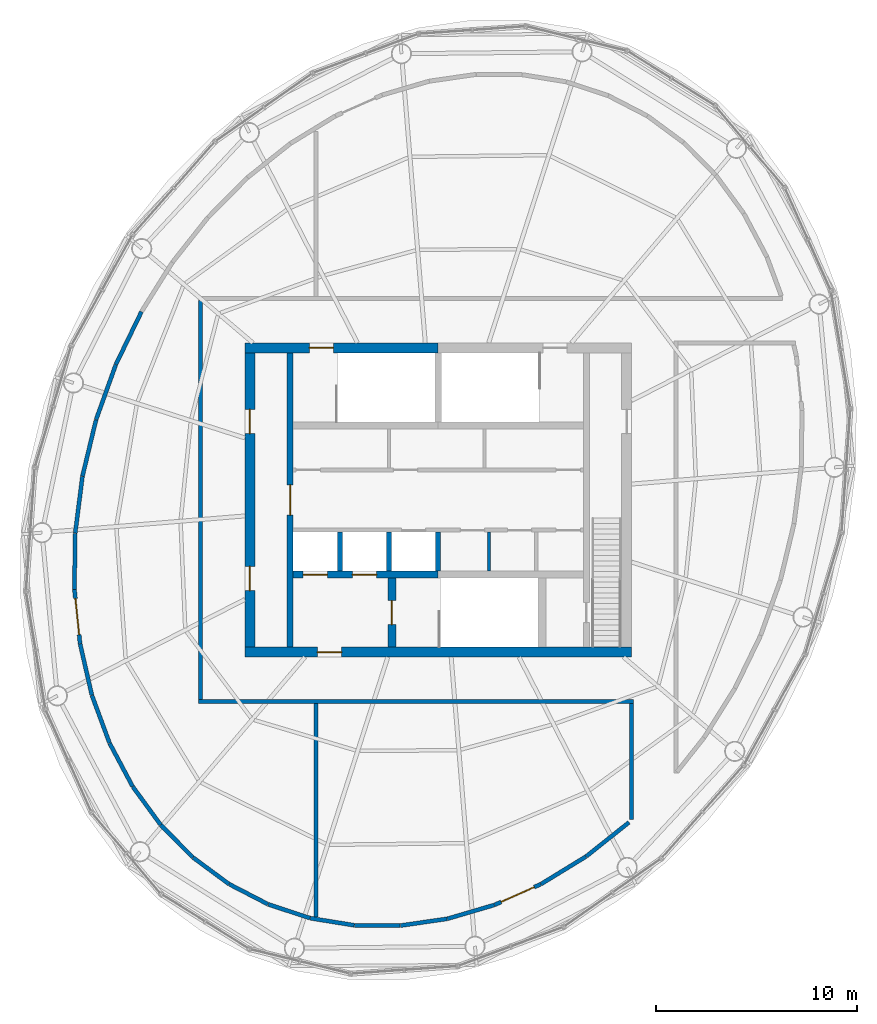
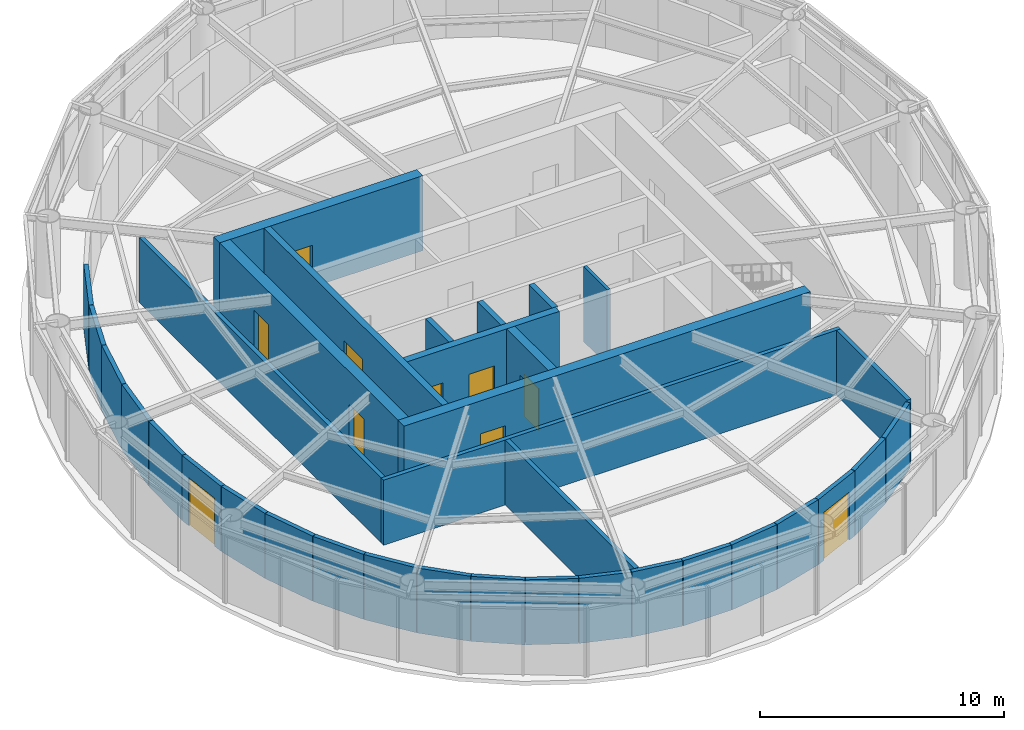
# One storey, part 8 of 11: 35 walls, 10 doors, 10 openings.
"""IFC4 building model written with IfcOpenShell, lengths in metres."""

from ifc_helpers import new_model, si_unit, direction, frame, frame_2d, origin, place, context, subcontext, project, spatial, rectangle, extrude, material, layer, layer_set, type_object, element, fill, save


model = new_model("IFC4")

# Units and contexts
model_context = context("Model", 3, precision=1e-05, world=origin(), true_north=direction((0.0, 1.0)))
body_context = subcontext(model_context, "Body", "Model", "MODEL_VIEW")
ifc_project = project(units=[si_unit("LENGTHUNIT", "METRE"), si_unit("AREAUNIT", "SQUARE_METRE"), si_unit("VOLUMEUNIT", "CUBIC_METRE"), si_unit("PLANEANGLEUNIT", "RADIAN"), si_unit("MASSUNIT", "GRAM", prefix="KILO")], contexts=[model_context])

# Site, building, storey
site_placement = place(None, origin())
site = spatial("IfcSite", under=ifc_project, at=site_placement, CompositionType="ELEMENT")
building_placement = place(site_placement, origin())
building = spatial("IfcBuilding", under=site, at=building_placement, Name="Vermilion Reach Broadcast Tower", CompositionType="ELEMENT")
storey_placement = place(building_placement, frame((0.0, 0.0, 325.5)))
storey = spatial("IfcBuildingStorey", under=building, at=storey_placement, Name="L81 CROWN", CompositionType="ELEMENT", Elevation=325.5)

# Wall, opening, door
ifc_material_1 = material(Name="Concrete C50", Category="concrete")
ifc_layer_1 = layer(ifc_material_1, 0.300048828125)
ifc_layer_set_1 = layer_set([ifc_layer_1], Name="Core inner wall 300 mm Concrete C50")
wall_type_1 = type_object("IfcWallType", Name="Core inner wall 300 mm Concrete C50", PredefinedType="SHEAR", material=ifc_layer_set_1)
wall_1_placement = place(storey_placement, frame((-13.35009765625, 7.300048828125, 0.0), z_axis=(0.0, 0.0, 1.0), x_axis=(0.0, -1.0, 0.0)))
wall_1 = element("IfcWall", 1, at=wall_1_placement, inside=storey, type_object=wall_type_1, Name="L81 CROWN core wall ewW", PredefinedType="SHEAR", context=body_context, shape_type="SweptSolid", body=[
    extrude(rectangle(XDim=14.60009765625, YDim=0.300048828125, at=frame_2d((7.300048828125, 0.0))), origin(), (0.0, 0.0, 1.0), 3.75),
])
opening_1_placement = place(wall_1_placement, frame((6.550048828125, 0.0, 0.0)))
opening_1 = element("IfcOpeningElement", 2, at=opening_1_placement, cuts=wall_1, Name="Opening D04", PredefinedType="OPENING", context=body_context, shape_type="SweptSolid", body=[
    extrude(rectangle(XDim=1.5, YDim=2.10009765625, at=frame_2d((0.75, 1.050048828125))), frame((0.0, 0.159912109375, 0.0), z_axis=(0.0, -1.0, 0.0), x_axis=(1.0, 0.0, 0.0)), (0.0, 0.0, 1.0), 0.320068359375),
])
ifc_material_2 = material(Name="Painted steel fire door", Category="steel")
door_type_1 = type_object("IfcDoorType", Name="Lift lobby door 1500 x 2100", OperationType="DOUBLE_DOOR_SINGLE_SWING", PredefinedType="NOTDEFINED", material=ifc_material_2)
door_1_placement = place(opening_1_placement, origin())
door_1 = element("IfcDoor", 3, at=door_1_placement, inside=storey, type_object=door_type_1, Name="L81 CROWN band door BW", OperationType="DOUBLE_DOOR_SINGLE_SWING", OverallHeight=2.10009765625, OverallWidth=1.5, PredefinedType="NOTDEFINED", context=body_context, shape_type="SweptSolid", body=[
    extrude(rectangle(XDim=1.5, YDim=2.10009765625, at=frame_2d((0.75, 1.050048828125))), frame((0.0, 0.02490234375, 0.0), z_axis=(0.0, -1.0, 0.0), x_axis=(1.0, 0.0, 0.0)), (0.0, 0.0, 1.0), 0.050048828125),
])
fill(opening_1, door_1)

# Wall, openings, doors
ifc_material_3 = material(Name="Concrete C50", Category="concrete")
ifc_layer_2 = layer(ifc_material_3, 0.35009765625)
ifc_layer_set_2 = layer_set([ifc_layer_2], Name="Core inner wall 350 mm Concrete C50")
wall_type_2 = type_object("IfcWallType", Name="Core inner wall 350 mm Concrete C50", PredefinedType="SHEAR", material=ifc_layer_set_2)
wall_2_placement = place(storey_placement, frame((-13.199951171875, -3.705078125, 0.0), z_axis=(0.0, 0.0, 1.0), x_axis=(1.0, 0.0, 0.0)))
wall_2 = element("IfcWall", 4, at=wall_2_placement, inside=storey, type_object=wall_type_2, Name="L81 CROWN core wall wisW", PredefinedType="SHEAR", context=body_context, shape_type="SweptSolid", body=[
    extrude(rectangle(XDim=7.199951171875, YDim=0.35009765625, at=frame_2d((3.60009765625, 0.0))), origin(), (0.0, 0.0, 1.0), 3.75),
])
opening_2_placement = place(wall_2_placement, frame((0.495849609375, 0.0, 0.0)))
opening_2 = element("IfcOpeningElement", 5, at=opening_2_placement, cuts=wall_2, Name="Opening LD1", PredefinedType="OPENING", context=body_context, shape_type="SweptSolid", body=[
    extrude(rectangle(XDim=1.199951171875, YDim=2.10009765625, at=frame_2d((0.60009765625, 1.050048828125))), frame((0.0, 0.18505859375, 0.0), z_axis=(0.0, -1.0, 0.0), x_axis=(1.0, 0.0, 0.0)), (0.0, 0.0, 1.0), 0.3701171875),
])
opening_3_placement = place(wall_2_placement, frame((2.9375, 0.0, 0.0)))
opening_3 = element("IfcOpeningElement", 6, at=opening_3_placement, cuts=wall_2, Name="Opening LD1", PredefinedType="OPENING", context=body_context, shape_type="SweptSolid", body=[
    extrude(rectangle(XDim=1.199951171875, YDim=2.10009765625, at=frame_2d((0.60009765625, 1.050048828125))), frame((0.0, 0.18505859375, 0.0), z_axis=(0.0, -1.0, 0.0), x_axis=(1.0, 0.0, 0.0)), (0.0, 0.0, 1.0), 0.3701171875),
])
ifc_material_4 = material(Name="Stainless steel", Category="steel")
door_type_2 = type_object("IfcDoorType", Name="Landing door 1200 x 2100", OperationType="DOUBLE_DOOR_SLIDING", PredefinedType="NOTDEFINED", material=ifc_material_4)
door_2_placement = place(opening_2_placement, origin())
door_2 = element("IfcDoor", 7, at=door_2_placement, inside=storey, type_object=door_type_2, Name="L81 CROWN landing door FF1", OperationType="DOUBLE_DOOR_SLIDING", OverallHeight=2.10009765625, OverallWidth=1.199951171875, PredefinedType="NOTDEFINED", context=body_context, shape_type="SweptSolid", body=[
    extrude(rectangle(XDim=1.199951171875, YDim=2.10009765625, at=frame_2d((0.60009765625, 1.050048828125))), frame((0.0, 0.02490234375, 0.0), z_axis=(0.0, -1.0, 0.0), x_axis=(1.0, 0.0, 0.0)), (0.0, 0.0, 1.0), 0.050048828125),
])
fill(opening_2, door_2)
door_3_placement = place(opening_3_placement, origin())
door_3 = element("IfcDoor", 8, at=door_3_placement, inside=storey, type_object=door_type_2, Name="L81 CROWN landing door FF2", OperationType="DOUBLE_DOOR_SLIDING", OverallHeight=2.10009765625, OverallWidth=1.199951171875, PredefinedType="NOTDEFINED", context=body_context, shape_type="SweptSolid", body=[
    extrude(rectangle(XDim=1.199951171875, YDim=2.10009765625, at=frame_2d((0.60009765625, 1.050048828125))), frame((0.0, 0.02490234375, 0.0), z_axis=(0.0, -1.0, 0.0), x_axis=(1.0, 0.0, 0.0)), (0.0, 0.0, 1.0), 0.050048828125),
])
fill(opening_3, door_3)

# Wall, opening, door
ifc_material_5 = material(Name="Concrete C50", Category="concrete")
ifc_layer_3 = layer(ifc_material_5, 0.39990234375)
ifc_layer_set_3 = layer_set([ifc_layer_3], Name="Core inner wall 400 mm Concrete C50")
wall_type_3 = type_object("IfcWallType", Name="Core inner wall 400 mm Concrete C50", PredefinedType="SHEAR", material=ifc_layer_set_3)
wall_3_placement = place(storey_placement, frame((-8.300048828125, -3.8798828125, 0.0), z_axis=(0.0, 0.0, 1.0), x_axis=(0.0, -1.0, 0.0)))
wall_3 = element("IfcWall", 9, at=wall_3_placement, inside=storey, type_object=wall_type_3, Name="L81 CROWN core wall wa", PredefinedType="SHEAR", context=body_context, shape_type="SweptSolid", body=[
    extrude(rectangle(XDim=3.420166015625, YDim=0.39990234375, at=frame_2d((1.7099609375, 0.0))), origin(), (0.0, 0.0, 1.0), 3.75),
])
opening_4_placement = place(wall_3_placement, frame((1.110107421875, 0.0, 0.0)))
opening_4 = element("IfcOpeningElement", 10, at=opening_4_placement, cuts=wall_3, Name="Opening D01", PredefinedType="OPENING", context=body_context, shape_type="SweptSolid", body=[
    extrude(rectangle(XDim=1.199951171875, YDim=2.10009765625, at=frame_2d((0.60009765625, 1.050048828125))), frame((0.0, 0.2099609375, 0.0), z_axis=(0.0, -1.0, 0.0), x_axis=(1.0, 0.0, 0.0)), (0.0, 0.0, 1.0), 0.419921875),
])
ifc_material_6 = material(Name="Painted steel fire door", Category="steel")
door_type_3 = type_object("IfcDoorType", Name="Stair door 1200 x 2100", OperationType="DOUBLE_DOOR_SINGLE_SWING", PredefinedType="NOTDEFINED", material=ifc_material_6)
door_4_placement = place(opening_4_placement, origin())
door_4 = element("IfcDoor", 11, at=door_4_placement, inside=storey, type_object=door_type_3, Name="L81 CROWN stair door ST3", OperationType="DOUBLE_DOOR_SINGLE_SWING", OverallHeight=2.10009765625, OverallWidth=1.199951171875, PredefinedType="NOTDEFINED", context=body_context, shape_type="SweptSolid", body=[
    extrude(rectangle(XDim=1.199951171875, YDim=2.10009765625, at=frame_2d((0.60009765625, 1.050048828125))), frame((0.0, 0.02490234375, 0.0), z_axis=(0.0, -1.0, 0.0), x_axis=(1.0, 0.0, 0.0)), (0.0, 0.0, 1.0), 0.050048828125),
])
fill(opening_4, door_4)

ifc_material_7 = material(Name="Concrete C50", Category="concrete")
ifc_layer_4 = layer(ifc_material_7, 0.5)
ifc_layer_set_4 = layer_set([ifc_layer_4], Name="Core outer wall 500 mm Concrete C50")
wall_type_4 = type_object("IfcWallType", Name="Core outer wall 500 mm Concrete C50", PredefinedType="SHEAR", material=ifc_layer_set_4)
wall_4_placement = place(storey_placement, frame((-6.0, 7.550048828125, 0.0), z_axis=(0.0, 0.0, 1.0), x_axis=(-1.0, 0.0, 0.0)))
wall_4 = element("IfcWall", 12, at=wall_4_placement, inside=storey, type_object=wall_type_4, Name="L81 CROWN core wall onW", PredefinedType="SHEAR", context=body_context, shape_type="SweptSolid", body=[
    extrude(rectangle(XDim=9.60009765625, YDim=0.5, at=frame_2d((4.800048828125, 0.0))), origin(), (0.0, 0.0, 1.0), 3.75),
])
opening_5_placement = place(wall_4_placement, frame((5.199951171875, 0.0, 0.0)))
opening_5 = element("IfcOpeningElement", 13, at=opening_5_placement, cuts=wall_4, Name="Opening D01", PredefinedType="OPENING", context=body_context, shape_type="SweptSolid", body=[
    extrude(rectangle(XDim=1.199951171875, YDim=2.10009765625, at=frame_2d((0.60009765625, 1.050048828125))), frame((0.0, 0.260009765625, 0.0), z_axis=(0.0, -1.0, 0.0), x_axis=(1.0, 0.0, 0.0)), (0.0, 0.0, 1.0), 0.52001953125),
])
door_5_placement = place(opening_5_placement, origin())
door_5 = element("IfcDoor", 14, at=door_5_placement, inside=storey, type_object=door_type_3, Name="L81 CROWN stair door ST1", OperationType="DOUBLE_DOOR_SINGLE_SWING", OverallHeight=2.10009765625, OverallWidth=1.199951171875, PredefinedType="NOTDEFINED", context=body_context, shape_type="SweptSolid", body=[
    extrude(rectangle(XDim=1.199951171875, YDim=2.10009765625, at=frame_2d((0.60009765625, 1.050048828125))), frame((0.0, 0.02490234375, 0.0), z_axis=(0.0, -1.0, 0.0), x_axis=(1.0, 0.0, 0.0)), (0.0, 0.0, 1.0), 0.050048828125),
])
fill(opening_5, door_5)

wall_5_placement = place(storey_placement, frame((-15.60009765625, -7.550048828125, 0.0), z_axis=(0.0, 0.0, 1.0), x_axis=(1.0, 0.0, 0.0)))
wall_5 = element("IfcWall", 15, at=wall_5_placement, inside=storey, type_object=wall_type_4, Name="L81 CROWN core wall os", PredefinedType="SHEAR", context=body_context, shape_type="SweptSolid", body=[
    extrude(rectangle(XDim=19.2001953125, YDim=0.5, at=frame_2d((9.60009765625, 0.0))), origin(), (0.0, 0.0, 1.0), 3.75),
])
opening_6_placement = place(wall_5_placement, frame((3.60009765625, 0.0, 0.0)))
opening_6 = element("IfcOpeningElement", 16, at=opening_6_placement, cuts=wall_5, Name="Opening D02", PredefinedType="OPENING", context=body_context, shape_type="SweptSolid", body=[
    extrude(rectangle(XDim=1.199951171875, YDim=2.10009765625, at=frame_2d((0.60009765625, 1.050048828125))), frame((0.0, 0.260009765625, 0.0), z_axis=(0.0, -1.0, 0.0), x_axis=(1.0, 0.0, 0.0)), (0.0, 0.0, 1.0), 0.52001953125),
])
ifc_material_8 = material(Name="Painted steel fire door", Category="steel")
door_type_4 = type_object("IfcDoorType", Name="Firefighting lobby door 1200 x 2100", OperationType="DOUBLE_DOOR_SINGLE_SWING", PredefinedType="NOTDEFINED", material=ifc_material_8)
door_6_placement = place(opening_6_placement, origin())
door_6 = element("IfcDoor", 17, at=door_6_placement, inside=storey, type_object=door_type_4, Name="L81 CROWN ffdoor door FFL", OperationType="DOUBLE_DOOR_SINGLE_SWING", OverallHeight=2.10009765625, OverallWidth=1.199951171875, PredefinedType="NOTDEFINED", context=body_context, shape_type="SweptSolid", body=[
    extrude(rectangle(XDim=1.199951171875, YDim=2.10009765625, at=frame_2d((0.60009765625, 1.050048828125))), frame((0.0, 0.02490234375, 0.0), z_axis=(0.0, -1.0, 0.0), x_axis=(1.0, 0.0, 0.0)), (0.0, 0.0, 1.0), 0.050048828125),
])
fill(opening_6, door_6)

# Wall, openings, doors
wall_6_placement = place(storey_placement, frame((-15.35009765625, 7.300048828125, 0.0), z_axis=(0.0, 0.0, 1.0), x_axis=(0.0, -1.0, 0.0)))
wall_6 = element("IfcWall", 18, at=wall_6_placement, inside=storey, type_object=wall_type_4, Name="L81 CROWN core wall ow", PredefinedType="SHEAR", context=body_context, shape_type="SweptSolid", body=[
    extrude(rectangle(XDim=14.60009765625, YDim=0.5, at=frame_2d((7.300048828125, 0.0))), origin(), (0.0, 0.0, 1.0), 3.75),
])
opening_7_placement = place(wall_6_placement, frame((10.60009765625, 0.0, 0.0)))
opening_7 = element("IfcOpeningElement", 19, at=opening_7_placement, cuts=wall_6, Name="Opening D03", PredefinedType="OPENING", context=body_context, shape_type="SweptSolid", body=[
    extrude(rectangle(XDim=1.199951171875, YDim=2.10009765625, at=frame_2d((0.60009765625, 1.050048828125))), frame((0.0, 0.260009765625, 0.0), z_axis=(0.0, -1.0, 0.0), x_axis=(1.0, 0.0, 0.0)), (0.0, 0.0, 1.0), 0.52001953125),
])
opening_8_placement = place(wall_6_placement, frame((2.800048828125, 0.0, 0.0)))
opening_8 = element("IfcOpeningElement", 20, at=opening_8_placement, cuts=wall_6, Name="Opening D03", PredefinedType="OPENING", context=body_context, shape_type="SweptSolid", body=[
    extrude(rectangle(XDim=1.199951171875, YDim=2.10009765625, at=frame_2d((0.60009765625, 1.050048828125))), frame((0.0, 0.260009765625, 0.0), z_axis=(0.0, -1.0, 0.0), x_axis=(1.0, 0.0, 0.0)), (0.0, 0.0, 1.0), 0.52001953125),
])
ifc_material_9 = material(Name="Painted steel fire door", Category="steel")
door_type_5 = type_object("IfcDoorType", Name="Core lobby door 1200 x 2100", OperationType="DOUBLE_DOOR_SINGLE_SWING", PredefinedType="NOTDEFINED", material=ifc_material_9)
door_7_placement = place(opening_7_placement, origin())
door_7 = element("IfcDoor", 21, at=door_7_placement, inside=storey, type_object=door_type_5, Name="L81 CROWN slot door W0", OperationType="DOUBLE_DOOR_SINGLE_SWING", OverallHeight=2.10009765625, OverallWidth=1.199951171875, PredefinedType="NOTDEFINED", context=body_context, shape_type="SweptSolid", body=[
    extrude(rectangle(XDim=1.199951171875, YDim=2.10009765625, at=frame_2d((0.60009765625, 1.050048828125))), frame((0.0, 0.02490234375, 0.0), z_axis=(0.0, -1.0, 0.0), x_axis=(1.0, 0.0, 0.0)), (0.0, 0.0, 1.0), 0.050048828125),
])
fill(opening_7, door_7)
door_8_placement = place(opening_8_placement, origin())
door_8 = element("IfcDoor", 22, at=door_8_placement, inside=storey, type_object=door_type_5, Name="L81 CROWN slot door W1", OperationType="DOUBLE_DOOR_SINGLE_SWING", OverallHeight=2.10009765625, OverallWidth=1.199951171875, PredefinedType="NOTDEFINED", context=body_context, shape_type="SweptSolid", body=[
    extrude(rectangle(XDim=1.199951171875, YDim=2.10009765625, at=frame_2d((0.60009765625, 1.050048828125))), frame((0.0, 0.02490234375, 0.0), z_axis=(0.0, -1.0, 0.0), x_axis=(1.0, 0.0, 0.0)), (0.0, 0.0, 1.0), 0.050048828125),
])
fill(opening_8, door_8)

# Walls
ifc_material_10 = material(Name="Masonry block", Category="masonry")
ifc_layer_5 = layer(ifc_material_10, 0.14990234375)
ifc_layer_set_5 = layer_set([ifc_layer_5], Name="Core partition wall 150 mm Masonry block")
wall_type_5 = type_object("IfcWallType", Name="Core partition wall 150 mm Masonry block", PredefinedType="PARTITIONING", material=ifc_layer_set_5)
wall_7_placement = place(storey_placement, frame((-3.469482421875, -1.60009765625, 0.0), z_axis=(0.0, 0.0, 1.0), x_axis=(0.0, -1.0, 0.0)))
element("IfcWall", 23, at=wall_7_placement, inside=storey, type_object=wall_type_5, Name="L81 CROWN core wall prS2531", PredefinedType="PARTITIONING", context=body_context, shape_type="SweptSolid", body=[
    extrude(rectangle(XDim=1.929931640625, YDim=0.14990234375, at=frame_2d((0.96484375, 0.0))), origin(), (0.0, 0.0, 1.0), 3.75),
])
ifc_material_11 = material(Name="Concrete C50", Category="concrete")
ifc_layer_6 = layer(ifc_material_11, 0.25)
ifc_layer_set_6 = layer_set([ifc_layer_6], Name="Core shaft wall 250 mm Concrete C50")
wall_type_6 = type_object("IfcWallType", Name="Core shaft wall 250 mm Concrete C50", PredefinedType="SHEAR", material=ifc_layer_set_6)
for number, where, z_axis, x_axis, name in (
    (24, (-10.88330078125, -1.60009765625, 0.0), (0.0, 0.0, 1.0), (0.0, -1.0, 0.0), "L81 CROWN core wall psS0"),
    (25, (-8.441650390625, -1.60009765625, 0.0), (0.0, 0.0, 1.0), (0.0, -1.0, 0.0), "L81 CROWN core wall psS1"),
    (26, (-6.0, -1.60009765625, 0.0), (0.0, 0.0, 1.0), (0.0, -1.0, 0.0), "L81 CROWN core wall psS2"),
):
    element("IfcWall", number, at=place(storey_placement, frame(where, z_axis=z_axis, x_axis=x_axis)), inside=storey, type_object=wall_type_6, Name=name, PredefinedType="SHEAR", context=body_context, shape_type="SweptSolid", body=[
        extrude(rectangle(XDim=1.929931640625, YDim=0.25, at=frame_2d((0.96484375, 0.0))), origin(), (0.0, 0.0, 1.0), 3.75),
    ])
ifc_material_12 = material(Name="Gypsum board shaft wall")
ifc_layer_7 = layer(ifc_material_12, 0.199951171875)
ifc_layer_set_7 = layer_set([ifc_layer_7], Name="Plant room wall 200")
wall_type_7 = type_object("IfcWallType", Name="Plant room wall 200", PredefinedType="PARTITIONING", material=ifc_layer_set_7)
wall_8_placement = place(storey_placement, frame((-17.800048828125, -9.89990234375, 0.0), z_axis=(0.0, 0.0, 1.0), x_axis=(0.0, 1.0, 0.0)))
element("IfcWall", 27, at=wall_8_placement, inside=storey, type_object=wall_type_7, Name="sp.wall.L81 CROWN.000", PredefinedType="PARTITIONING", context=body_context, shape_type="SweptSolid", body=[
    extrude(rectangle(XDim=19.7998046875, YDim=0.199951171875, at=frame_2d((9.89990234375, 0.0))), origin(), (0.0, 0.0, 1.0), 3.25),
])
wall_9_placement = place(storey_placement, frame((-17.89990234375, -10.0, 0.0), z_axis=(0.0, 0.0, 1.0), x_axis=(1.0, 0.0, 0.0)))
element("IfcWall", 28, at=wall_9_placement, inside=storey, type_object=wall_type_7, Name="sp.wall.L81 CROWN.002", PredefinedType="PARTITIONING", context=body_context, shape_type="SweptSolid", body=[
    extrude(rectangle(XDim=21.60009765625, YDim=0.199951171875, at=frame_2d((10.800048828125, 0.0))), origin(), (0.0, 0.0, 1.0), 3.25),
])
wall_10_placement = place(storey_placement, frame((3.60009765625, -15.867431640625, 0.0), z_axis=(0.0, 0.0, 1.0), x_axis=(0.0, 1.0, 0.0)))
element("IfcWall", 29, at=wall_10_placement, inside=storey, type_object=wall_type_7, Name="sp.wall.L81 CROWN.005", PredefinedType="PARTITIONING", context=body_context, shape_type="SweptSolid", body=[
    extrude(rectangle(XDim=5.767333984375, YDim=0.199951171875, at=frame_2d((2.8837890625, 0.0))), origin(), (0.0, 0.0, 1.0), 3.25),
])
wall_11_placement = place(storey_placement, frame((-12.056396484375, -20.687255859375, 0.0), z_axis=(0.0, 0.0, 1.0), x_axis=(0.0, 1.0, 0.0)))
element("IfcWall", 30, at=wall_11_placement, inside=storey, type_object=wall_type_7, Name="sp.wall.L81 CROWN.006", PredefinedType="PARTITIONING", context=body_context, shape_type="SweptSolid", body=[
    extrude(rectangle(XDim=10.587158203125, YDim=0.199951171875, at=frame_2d((5.29345703125, 0.0))), origin(), (0.0, 0.0, 1.0), 3.25),
])
wall_12_placement = place(storey_placement, frame((-12.350341796875, -20.75732421875, 0.0), z_axis=(0.0, 0.0, 1.0), x_axis=(0.987257926423, -0.159128208423, 0.0)))
element("IfcWall", 31, at=wall_12_placement, inside=storey, type_object=wall_type_7, Name="sp.wall.L81 CROWN.008", PredefinedType="PARTITIONING", context=body_context, shape_type="SweptSolid", body=[
    extrude(rectangle(XDim=2.209228515625, YDim=0.199951171875, at=frame_2d((1.1044921875, 0.0))), origin(), (0.0, 0.0, 1.0), 3.25),
])
wall_13_placement = place(storey_placement, frame((-14.436767578125, -20.0703125, 0.0), z_axis=(0.0, 0.0, 1.0), x_axis=(0.949852302688, -0.312698901627, 0.0)))
element("IfcWall", 32, at=wall_13_placement, inside=storey, type_object=wall_type_7, Name="sp.wall.L81 CROWN.009", PredefinedType="PARTITIONING", context=body_context, shape_type="SweptSolid", body=[
    extrude(rectangle(XDim=2.1806640625, YDim=0.199951171875, at=frame_2d((1.09033203125, 0.0))), origin(), (0.0, 0.0, 1.0), 3.25),
])
wall_14_placement = place(storey_placement, frame((-16.373291015625, -19.067626953125, 0.0), z_axis=(0.0, 0.0, 1.0), x_axis=(0.888068415533, -0.45971131086, 0.0)))
element("IfcWall", 33, at=wall_14_placement, inside=storey, type_object=wall_type_7, Name="sp.wall.L81 CROWN.010", PredefinedType="PARTITIONING", context=body_context, shape_type="SweptSolid", body=[
    extrude(rectangle(XDim=2.16455078125, YDim=0.199951171875, at=frame_2d((1.082275390625, 0.0))), origin(), (0.0, 0.0, 1.0), 3.25),
])
wall_15_placement = place(storey_placement, frame((-18.164794921875, -17.747802734375, 0.0), z_axis=(0.0, 0.0, 1.0), x_axis=(0.80443326696, -0.594043027909, 0.0)))
element("IfcWall", 34, at=wall_15_placement, inside=storey, type_object=wall_type_7, Name="sp.wall.L81 CROWN.011", PredefinedType="PARTITIONING", context=body_context, shape_type="SweptSolid", body=[
    extrude(rectangle(XDim=2.20947265625, YDim=0.199951171875, at=frame_2d((1.104736328125, 0.0))), origin(), (0.0, 0.0, 1.0), 3.25),
])
wall_16_placement = place(storey_placement, frame((-19.76953125, -16.12939453125, 0.0), z_axis=(0.0, 0.0, 1.0), x_axis=(0.703376280453, -0.710817703843, 0.0)))
element("IfcWall", 35, at=wall_16_placement, inside=storey, type_object=wall_type_7, Name="sp.wall.L81 CROWN.012", PredefinedType="PARTITIONING", context=body_context, shape_type="SweptSolid", body=[
    extrude(rectangle(XDim=2.263671875, YDim=0.199951171875, at=frame_2d((1.1318359375, 0.0))), origin(), (0.0, 0.0, 1.0), 3.25),
])
wall_17_placement = place(storey_placement, frame((-21.159912109375, -14.230712890625, 0.0), z_axis=(0.0, 0.0, 1.0), x_axis=(0.590082027637, -0.807343297897, 0.0)))
element("IfcWall", 36, at=wall_17_placement, inside=storey, type_object=wall_type_7, Name="sp.wall.L81 CROWN.013", PredefinedType="PARTITIONING", context=body_context, shape_type="SweptSolid", body=[
    extrude(rectangle(XDim=2.33837890625, YDim=0.199951171875, at=frame_2d((1.169189453125, 0.0))), origin(), (0.0, 0.0, 1.0), 3.25),
])
wall_18_placement = place(storey_placement, frame((-22.3076171875, -12.0771484375, 0.0), z_axis=(0.0, 0.0, 1.0), x_axis=(0.469611304199, -0.882873276846, 0.0)))
element("IfcWall", 37, at=wall_18_placement, inside=storey, type_object=wall_type_7, Name="sp.wall.L81 CROWN.014", PredefinedType="PARTITIONING", context=body_context, shape_type="SweptSolid", body=[
    extrude(rectangle(XDim=2.42626953125, YDim=0.199951171875, at=frame_2d((1.213134765625, 0.0))), origin(), (0.0, 0.0, 1.0), 3.25),
])
wall_19_placement = place(storey_placement, frame((-23.1865234375, -9.70068359375, 0.0), z_axis=(0.0, 0.0, 1.0), x_axis=(0.34620358582, -0.938159409251, 0.0)))
element("IfcWall", 38, at=wall_19_placement, inside=storey, type_object=wall_type_7, Name="sp.wall.L81 CROWN.015", PredefinedType="PARTITIONING", context=body_context, shape_type="SweptSolid", body=[
    extrude(rectangle(XDim=2.520263671875, YDim=0.199951171875, at=frame_2d((1.26025390625, 0.0))), origin(), (0.0, 0.0, 1.0), 3.25),
])
wall_20_placement = place(storey_placement, frame((-23.774658203125, -7.140869140625, 0.0), z_axis=(0.0, 0.0, 1.0), x_axis=(0.223324390074, -0.974744180182, 0.0)))
element("IfcWall", 39, at=wall_20_placement, inside=storey, type_object=wall_type_7, Name="sp.wall.L81 CROWN.016", PredefinedType="PARTITIONING", context=body_context, shape_type="SweptSolid", body=[
    extrude(rectangle(XDim=2.61376953125, YDim=0.199951171875, at=frame_2d((1.306884765625, 0.0))), origin(), (0.0, 0.0, 1.0), 3.25),
])

# Wall, opening, door
wall_21_placement = place(storey_placement, frame((-23.77734375, -7.12890625, 0.0), z_axis=(0.0, 0.0, 1.0), x_axis=(-0.102877560919, 0.994694027055, 0.0)))
wall_21 = element("IfcWall", 40, at=wall_21_placement, inside=storey, type_object=wall_type_7, Name="sp.wall.L81 CROWN.017", PredefinedType="PARTITIONING", context=body_context, shape_type="SweptSolid", body=[
    extrude(rectangle(XDim=2.70068359375, YDim=0.199951171875, at=frame_2d((1.350341796875, 0.0))), origin(), (0.0, 0.0, 1.0), 3.25),
])
opening_9_placement = place(wall_21_placement, frame((0.4501953125, 0.0, 0.0)))
opening_9 = element("IfcOpeningElement", 41, at=opening_9_placement, cuts=wall_21, Name="Opening D53", PredefinedType="OPENING", context=body_context, shape_type="SweptSolid", body=[
    extrude(rectangle(XDim=1.800048828125, YDim=2.39990234375, at=frame_2d((0.89990234375, 1.199951171875))), frame((0.0, 0.10986328125, 0.0), z_axis=(0.0, -1.0, 0.0), x_axis=(1.0, 0.0, 0.0)), (0.0, 0.0, 1.0), 0.219970703125),
])
ifc_material_13 = material(Name="Timber and steel door set", Category="steel")
door_type_6 = type_object("IfcDoorType", Name="Plant double door 1800x2400", OperationType="NOTDEFINED", PredefinedType="DOOR", material=ifc_material_13)
door_9_placement = place(opening_9_placement, origin())
door_9 = element("IfcDoor", 42, at=door_9_placement, inside=storey, type_object=door_type_6, Name="sp.door.L81 CROWN.000", OperationType="DOUBLE_DOOR_SINGLE_SWING", OverallHeight=2.39990234375, OverallWidth=1.800048828125, PredefinedType="DOOR", context=body_context, shape_type="SweptSolid", body=[
    extrude(rectangle(XDim=1.800048828125, YDim=2.39990234375, at=frame_2d((0.89990234375, 1.199951171875))), frame((0.0, 0.02490234375, 0.0), z_axis=(0.0, -1.0, 0.0), x_axis=(1.0, 0.0, 0.0)), (0.0, 0.0, 1.0), 0.050048828125),
])
fill(opening_9, door_9)

# Walls
wall_22_placement = place(storey_placement, frame((-24.056396484375, -4.430908203125, 0.0), z_axis=(0.0, 0.0, 1.0), x_axis=(0.013897320686, 0.999903427576, 0.0)))
element("IfcWall", 43, at=wall_22_placement, inside=storey, type_object=wall_type_7, Name="sp.wall.L81 CROWN.018", PredefinedType="PARTITIONING", context=body_context, shape_type="SweptSolid", body=[
    extrude(rectangle(XDim=2.775634765625, YDim=0.199951171875, at=frame_2d((1.3876953125, 0.0))), origin(), (0.0, 0.0, 1.0), 3.25),
])
wall_23_placement = place(storey_placement, frame((-24.017578125, -1.64404296875, 0.0), z_axis=(0.0, 0.0, 1.0), x_axis=(0.126302032537, 0.991991832919, 0.0)))
element("IfcWall", 44, at=wall_23_placement, inside=storey, type_object=wall_type_7, Name="sp.wall.L81 CROWN.019", PredefinedType="PARTITIONING", context=body_context, shape_type="SweptSolid", body=[
    extrude(rectangle(XDim=2.835693359375, YDim=0.199951171875, at=frame_2d((1.41796875, 0.0))), origin(), (0.0, 0.0, 1.0), 3.25),
])
wall_24_placement = place(storey_placement, frame((-23.657958984375, 1.1796875, 0.0), z_axis=(0.0, 0.0, 1.0), x_axis=(0.234120678443, 0.972207543648, 0.0)))
element("IfcWall", 45, at=wall_24_placement, inside=storey, type_object=wall_type_7, Name="sp.wall.L81 CROWN.020", PredefinedType="PARTITIONING", context=body_context, shape_type="SweptSolid", body=[
    extrude(rectangle(XDim=2.877197265625, YDim=0.199951171875, at=frame_2d((1.4384765625, 0.0))), origin(), (0.0, 0.0, 1.0), 3.25),
])
wall_25_placement = place(storey_placement, frame((-22.981689453125, 3.987548828125, 0.0), z_axis=(0.0, 0.0, 1.0), x_axis=(0.337478197562, 0.941333344873, 0.0)))
element("IfcWall", 46, at=wall_25_placement, inside=storey, type_object=wall_type_7, Name="sp.wall.L81 CROWN.021", PredefinedType="PARTITIONING", context=body_context, shape_type="SweptSolid", body=[
    extrude(rectangle(XDim=2.89794921875, YDim=0.199951171875, at=frame_2d((1.448974609375, 0.0))), origin(), (0.0, 0.0, 1.0), 3.25),
])
wall_26_placement = place(storey_placement, frame((-22.0, 6.725830078125, 0.0), z_axis=(0.0, 0.0, 1.0), x_axis=(0.436405284506, 0.89975020292, 0.0)))
element("IfcWall", 47, at=wall_26_placement, inside=storey, type_object=wall_type_7, Name="sp.wall.L81 CROWN.022", PredefinedType="PARTITIONING", context=body_context, shape_type="SweptSolid", body=[
    extrude(rectangle(XDim=2.9091796875, YDim=0.199951171875, at=frame_2d((1.45458984375, 0.0))), origin(), (0.0, 0.0, 1.0), 3.25),
])
wall_27_placement = place(storey_placement, frame((1.3447265625, -17.689208984375, 0.0), z_axis=(0.0, 0.0, 1.0), x_axis=(0.782665833332, 0.62244212047, 0.0)))
element("IfcWall", 48, at=wall_27_placement, inside=storey, type_object=wall_type_7, Name="sp.wall.L81 CROWN.040", PredefinedType="PARTITIONING", context=body_context, shape_type="SweptSolid", body=[
    extrude(rectangle(XDim=2.712158203125, YDim=0.199951171875, at=frame_2d((1.35595703125, 0.0))), origin(), (0.0, 0.0, 1.0), 3.25),
])
wall_28_placement = place(storey_placement, frame((-0.894287109375, -19.061279296875, 0.0), z_axis=(0.0, 0.0, 1.0), x_axis=(0.852667029926, 0.522454721557, 0.0)))
element("IfcWall", 49, at=wall_28_placement, inside=storey, type_object=wall_type_7, Name="sp.wall.L81 CROWN.041", PredefinedType="PARTITIONING", context=body_context, shape_type="SweptSolid", body=[
    extrude(rectangle(XDim=2.613525390625, YDim=0.199951171875, at=frame_2d((1.306640625, 0.0))), origin(), (0.0, 0.0, 1.0), 3.25),
])

# Wall, opening, door
wall_29_placement = place(storey_placement, frame((-3.2060546875, -20.097412109375, 0.0), z_axis=(0.0, 0.0, 1.0), x_axis=(0.912552955942, 0.408958558538, 0.0)))
wall_29 = element("IfcWall", 50, at=wall_29_placement, inside=storey, type_object=wall_type_7, Name="sp.wall.L81 CROWN.042", PredefinedType="PARTITIONING", context=body_context, shape_type="SweptSolid", body=[
    extrude(rectangle(XDim=2.5205078125, YDim=0.199951171875, at=frame_2d((1.26025390625, 0.0))), origin(), (0.0, 0.0, 1.0), 3.25),
])
opening_10_placement = place(wall_29_placement, frame((0.360107421875, 0.0, 0.0)))
opening_10 = element("IfcOpeningElement", 51, at=opening_10_placement, cuts=wall_29, Name="Opening D53", PredefinedType="OPENING", context=body_context, shape_type="SweptSolid", body=[
    extrude(rectangle(XDim=1.800048828125, YDim=2.39990234375, at=frame_2d((0.89990234375, 1.199951171875))), frame((0.0, 0.10986328125, 0.0), z_axis=(0.0, -1.0, 0.0), x_axis=(1.0, 0.0, 0.0)), (0.0, 0.0, 1.0), 0.219970703125),
])
door_10_placement = place(opening_10_placement, origin())
door_10 = element("IfcDoor", 52, at=door_10_placement, inside=storey, type_object=door_type_6, Name="sp.door.L81 CROWN.002", OperationType="DOUBLE_DOOR_SINGLE_SWING", OverallHeight=2.39990234375, OverallWidth=1.800048828125, PredefinedType="DOOR", context=body_context, shape_type="SweptSolid", body=[
    extrude(rectangle(XDim=1.800048828125, YDim=2.39990234375, at=frame_2d((0.89990234375, 1.199951171875))), frame((0.0, 0.02490234375, 0.0), z_axis=(0.0, -1.0, 0.0), x_axis=(1.0, 0.0, 0.0)), (0.0, 0.0, 1.0), 0.050048828125),
])
fill(opening_10, door_10)

# Walls
wall_30_placement = place(storey_placement, frame((-5.546630859375, -20.7861328125, 0.0), z_axis=(0.0, 0.0, 1.0), x_axis=(0.95934146389, 0.28224803925, 0.0)))
element("IfcWall", 53, at=wall_30_placement, inside=storey, type_object=wall_type_7, Name="sp.wall.L81 CROWN.043", PredefinedType="PARTITIONING", context=body_context, shape_type="SweptSolid", body=[
    extrude(rectangle(XDim=2.42626953125, YDim=0.199951171875, at=frame_2d((1.213134765625, 0.0))), origin(), (0.0, 0.0, 1.0), 3.25),
])
wall_31_placement = place(storey_placement, frame((-7.875, -21.123291015625, 0.0), z_axis=(0.0, 0.0, 1.0), x_axis=(0.989671979467, 0.143350525141, 0.0)))
element("IfcWall", 54, at=wall_31_placement, inside=storey, type_object=wall_type_7, Name="sp.wall.L81 CROWN.044", PredefinedType="PARTITIONING", context=body_context, shape_type="SweptSolid", body=[
    extrude(rectangle(XDim=2.33837890625, YDim=0.199951171875, at=frame_2d((1.169189453125, 0.0))), origin(), (0.0, 0.0, 1.0), 3.25),
])
wall_32_placement = place(storey_placement, frame((-10.15380859375, -21.111328125, 0.0), z_axis=(0.0, 0.0, 1.0), x_axis=(0.999986603133, -0.005176248997, 0.0)))
element("IfcWall", 55, at=wall_32_placement, inside=storey, type_object=wall_type_7, Name="sp.wall.L81 CROWN.045", PredefinedType="PARTITIONING", context=body_context, shape_type="SweptSolid", body=[
    extrude(rectangle(XDim=2.263916015625, YDim=0.199951171875, at=frame_2d((1.1318359375, 0.0))), origin(), (0.0, 0.0, 1.0), 3.25),
])

save(model, "model.ifc")
